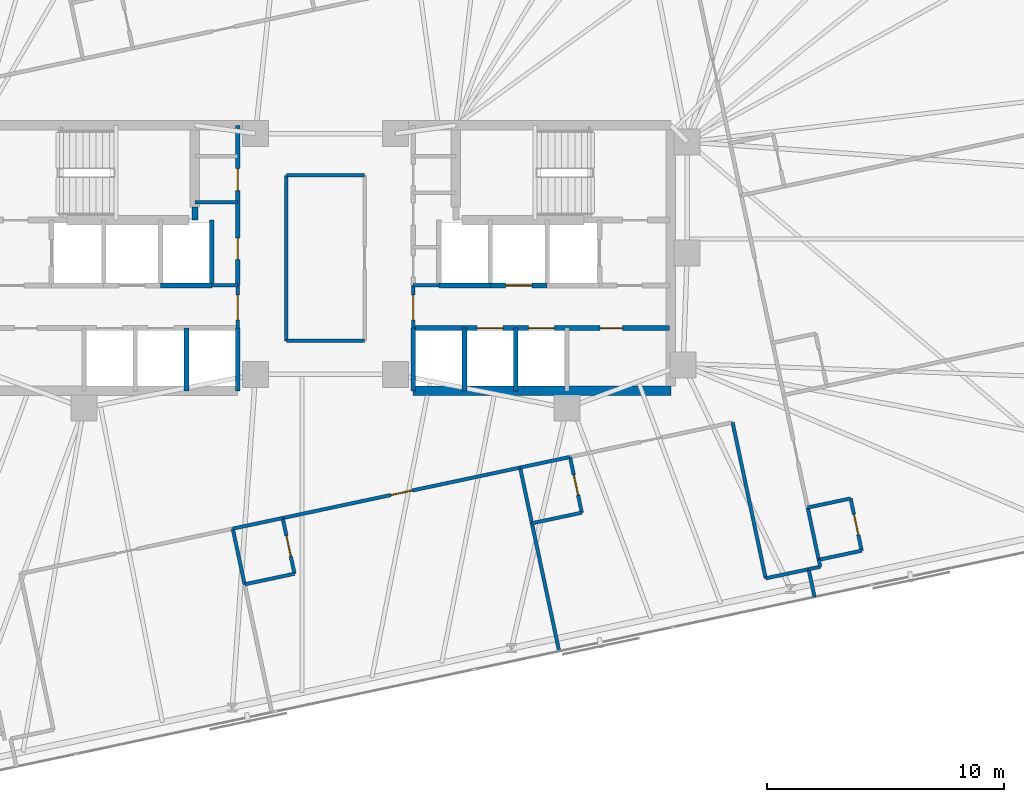
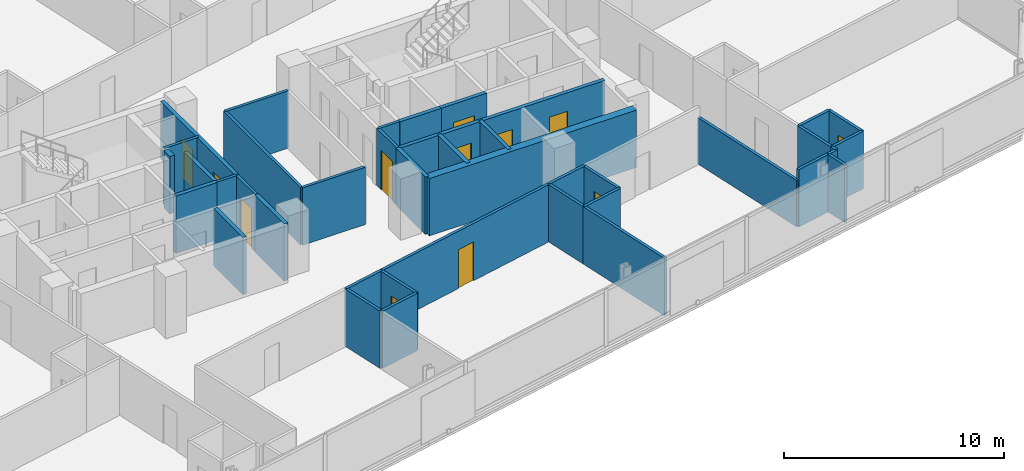
# One storey, part 15 of 20: 40 walls, 12 doors, 12 openings.
"""IFC4 building model written with IfcOpenShell, lengths in metres."""

from ifc_helpers import new_model, si_unit, direction, frame, frame_2d, origin, place, context, subcontext, project, spatial, rectangle, extrude, material, layer, layer_set, type_object, element, fill, save


model = new_model("IFC4")

# Units and contexts
model_context = context("Model", 3, precision=1e-05, world=origin(), true_north=direction((0.0, 1.0)))
body_context = subcontext(model_context, "Body", "Model", "MODEL_VIEW")
ifc_project = project(units=[si_unit("LENGTHUNIT", "METRE"), si_unit("AREAUNIT", "SQUARE_METRE"), si_unit("VOLUMEUNIT", "CUBIC_METRE"), si_unit("PLANEANGLEUNIT", "RADIAN"), si_unit("MASSUNIT", "GRAM", prefix="KILO")], contexts=[model_context])

# Site, building, storey
site_placement = place(None, origin())
site = spatial("IfcSite", under=ifc_project, at=site_placement, CompositionType="ELEMENT")
building_placement = place(site_placement, origin())
building = spatial("IfcBuilding", under=site, at=building_placement, Name="Menara Jurai Vektor", CompositionType="ELEMENT")
storey_placement = place(building_placement, frame((0.0, 0.0, 175.199951171875)))
storey = spatial("IfcBuildingStorey", under=building, at=storey_placement, Name="L45", CompositionType="ELEMENT", Elevation=175.199951171875)

# Wall
ifc_material_1 = material(Name="Concrete C40/50", Category="concrete")
ifc_layer_1 = layer(ifc_material_1, 0.25)
ifc_layer_set_1 = layer_set([ifc_layer_1], Name="Concrete C40/50")
wall_type_1 = type_object("IfcWallType", Name="INT-WALL-CORE-250", PredefinedType="STANDARD", material=ifc_layer_set_1)
wall_1_placement = place(storey_placement, frame((-5.5, 1.60009765625, 0.0), z_axis=(0.0, 0.0, 1.0), x_axis=(0.0, 1.0, 0.0)))
element("IfcWall", 1, at=wall_1_placement, inside=storey, type_object=wall_type_1, Name="Interior Wall IW-250 L45", PredefinedType="STANDARD", context=body_context, shape_type="SweptSolid", body=[
    extrude(rectangle(XDim=0.5498046875, YDim=0.25, at=frame_2d((0.27490234375, 0.0))), origin(), (0.0, 0.0, 1.0), 3.175048828125),
])

# Wall, opening, door
ifc_material_2 = material(Name="Gypsum Fireboard Partition", Category="gypsum")
ifc_layer_2 = layer(ifc_material_2, 0.14990234375)
ifc_layer_set_2 = layer_set([ifc_layer_2], Name="Gypsum Fireboard Partition")
wall_type_2 = type_object("IfcWallType", Name="INT-WALL-CORR-150", PredefinedType="PARTITIONING", material=ifc_layer_set_2)
wall_2_placement = place(storey_placement, frame((-3.699951171875, -2.949951171875, 0.0), z_axis=(0.0, 0.0, 1.0), x_axis=(0.0, 1.0, 0.0)))
wall_2 = element("IfcWall", 2, at=wall_2_placement, inside=storey, type_object=wall_type_2, Name="Interior Wall IW-150 L45", PredefinedType="PARTITIONING", context=body_context, shape_type="SweptSolid", body=[
    extrude(rectangle(XDim=1.800048828125, YDim=0.14990234375, at=frame_2d((0.89990234375, 0.0))), origin(), (0.0, 0.0, 1.0), 3.175048828125),
])
opening_1_placement = place(wall_2_placement, frame((0.35009765625, 0.0, 0.0)))
opening_1 = element("IfcOpeningElement", 3, at=opening_1_placement, cuts=wall_2, Name="Opening D-L45-LLW", PredefinedType="OPENING", context=body_context, shape_type="SweptSolid", body=[
    extrude(rectangle(XDim=1.050048828125, YDim=2.179931640625, at=frame_2d((0.52490234375, 1.08984375))), frame((0.0, 0.0849609375, 0.0), z_axis=(0.0, -1.0, 0.0), x_axis=(1.0, 0.0, 0.0)), (0.0, 0.0, 1.0), 0.169921875),
])
ifc_material_3 = material(Name="Fire-Rated Timber Door", Category="wood")
door_type_1 = type_object("IfcDoorType", Name="DR-LOBBY-1050", OperationType="NOTDEFINED", PredefinedType="DOOR", material=ifc_material_3)
door_1_placement = place(opening_1_placement, origin())
door_1 = element("IfcDoor", 4, at=door_1_placement, inside=storey, type_object=door_type_1, Name="Lift Lobby Corridor Door W L45", OperationType="SINGLE_SWING_LEFT", OverallHeight=2.179931640625, OverallWidth=1.050048828125, PredefinedType="DOOR", context=body_context, shape_type="SweptSolid", body=[
    extrude(rectangle(XDim=1.050048828125, YDim=2.179931640625, at=frame_2d((0.52490234375, 1.08984375))), frame((0.0, 0.02490234375, 0.0), z_axis=(0.0, -1.0, 0.0), x_axis=(1.0, 0.0, 0.0)), (0.0, 0.0, 1.0), 0.050048828125),
])
fill(opening_1, door_1)

# Wall
wall_3_placement = place(storey_placement, frame((-4.7900390625, -1.14990234375, 0.0), z_axis=(0.0, 0.0, 1.0), x_axis=(1.0, 0.0, 0.0)))
element("IfcWall", 5, at=wall_3_placement, inside=storey, type_object=wall_type_2, Name="Interior Wall IW-150 L45", PredefinedType="PARTITIONING", context=body_context, shape_type="SweptSolid", body=[
    extrude(rectangle(XDim=1.090087890625, YDim=0.14990234375, at=frame_2d((0.544921875, 0.0))), origin(), (0.0, 0.0, 1.0), 3.175048828125),
])

# Wall, opening, door
wall_4_placement = place(storey_placement, frame((3.699951171875, -2.949951171875, 0.0), z_axis=(0.0, 0.0, 1.0), x_axis=(0.0, 1.0, 0.0)))
wall_4 = element("IfcWall", 6, at=wall_4_placement, inside=storey, type_object=wall_type_2, Name="Interior Wall IW-150 L45", PredefinedType="PARTITIONING", context=body_context, shape_type="SweptSolid", body=[
    extrude(rectangle(XDim=1.800048828125, YDim=0.14990234375, at=frame_2d((0.89990234375, 0.0))), origin(), (0.0, 0.0, 1.0), 3.175048828125),
])
opening_2_placement = place(wall_4_placement, frame((0.35009765625, 0.0, 0.0)))
opening_2 = element("IfcOpeningElement", 7, at=opening_2_placement, cuts=wall_4, Name="Opening D-L45-LLE", PredefinedType="OPENING", context=body_context, shape_type="SweptSolid", body=[
    extrude(rectangle(XDim=1.050048828125, YDim=2.179931640625, at=frame_2d((0.52490234375, 1.08984375))), frame((0.0, 0.0849609375, 0.0), z_axis=(0.0, -1.0, 0.0), x_axis=(1.0, 0.0, 0.0)), (0.0, 0.0, 1.0), 0.169921875),
])
door_2_placement = place(opening_2_placement, frame((1.050048828125, 0.0, 0.0), z_axis=(0.0, 0.0, 1.0), x_axis=(-1.0, 0.0, 0.0)))
door_2 = element("IfcDoor", 8, at=door_2_placement, inside=storey, type_object=door_type_1, Name="Lift Lobby Corridor Door E L45", OperationType="SINGLE_SWING_RIGHT", OverallHeight=2.179931640625, OverallWidth=1.050048828125, PredefinedType="DOOR", context=body_context, shape_type="SweptSolid", body=[
    extrude(rectangle(XDim=1.050048828125, YDim=2.179931640625, at=frame_2d((0.52490234375, 1.08984375))), frame((0.0, 0.02490234375, 0.0), z_axis=(0.0, -1.0, 0.0), x_axis=(1.0, 0.0, 0.0)), (0.0, 0.0, 1.0), 0.050048828125),
])
fill(opening_2, door_2)

# Walls
wall_5_placement = place(storey_placement, frame((3.699951171875, -1.14990234375, 0.0), z_axis=(0.0, 0.0, 1.0), x_axis=(1.0, 0.0, 0.0)))
element("IfcWall", 9, at=wall_5_placement, inside=storey, type_object=wall_type_2, Name="Interior Wall IW-150 L45", PredefinedType="PARTITIONING", context=body_context, shape_type="SweptSolid", body=[
    extrude(rectangle(XDim=1.090087890625, YDim=0.14990234375, at=frame_2d((0.544921875, 0.0))), origin(), (0.0, 0.0, 1.0), 3.175048828125),
])
wall_6_placement = place(storey_placement, frame((-5.5, 2.35009765625, 0.0), z_axis=(0.0, 0.0, 1.0), x_axis=(1.0, 0.0, 0.0)))
element("IfcWall", 10, at=wall_6_placement, inside=storey, type_object=wall_type_2, Name="Interior Wall IW-150 L45", PredefinedType="PARTITIONING", context=body_context, shape_type="SweptSolid", body=[
    extrude(rectangle(XDim=1.800048828125, YDim=0.14990234375, at=frame_2d((0.89990234375, 0.0))), origin(), (0.0, 0.0, 1.0), 3.175048828125),
])
wall_7_placement = place(storey_placement, frame((-1.64990234375, -3.489501953125, 0.0), z_axis=(0.0, 0.0, 1.0), x_axis=(-3.4979712e-05, 0.999999999388, 0.0)))
element("IfcWall", 11, at=wall_7_placement, inside=storey, type_object=wall_type_2, Name="Interior Wall IW-150 L45", PredefinedType="PARTITIONING", context=body_context, shape_type="SweptSolid", body=[
    extrude(rectangle(XDim=6.9794921875, YDim=0.14990234375, at=frame_2d((3.48974609375, 0.0))), origin(), (0.0, 0.0, 1.0), 3.175048828125),
])
wall_8_placement = place(storey_placement, frame((-1.64990234375, -3.489501953125, 0.0), z_axis=(0.0, 0.0, 1.0), x_axis=(0.999999975374, -0.000221926315, 0.0)))
element("IfcWall", 12, at=wall_8_placement, inside=storey, type_object=wall_type_2, Name="Interior Wall IW-150 L45", PredefinedType="PARTITIONING", context=body_context, shape_type="SweptSolid", body=[
    extrude(rectangle(XDim=3.30029296875, YDim=0.14990234375, at=frame_2d((1.650146484375, 0.0))), origin(), (0.0, 0.0, 1.0), 3.175048828125),
])
wall_9_placement = place(storey_placement, frame((-1.650146484375, 3.489990234375, 0.0), z_axis=(0.0, 0.0, 1.0), x_axis=(1.0, 0.0, 0.0)))
element("IfcWall", 13, at=wall_9_placement, inside=storey, type_object=wall_type_2, Name="Interior Wall IW-150 L45", PredefinedType="PARTITIONING", context=body_context, shape_type="SweptSolid", body=[
    extrude(rectangle(XDim=3.300048828125, YDim=0.14990234375, at=frame_2d((1.64990234375, 0.0))), origin(), (0.0, 0.0, 1.0), 3.175048828125),
])

# Wall, opening, door
wall_10_placement = place(storey_placement, frame((-1.802734375, -10.95654296875, 0.0), z_axis=(0.0, 0.0, 1.0), x_axis=(0.978145386425, 0.207922108048, 0.0)))
wall_10 = element("IfcWall", 14, at=wall_10_placement, inside=storey, type_object=wall_type_2, Name="Interior Wall IW-150 L45", PredefinedType="PARTITIONING", context=body_context, shape_type="SweptSolid", body=[
    extrude(rectangle(XDim=10.23193359375, YDim=0.14990234375, at=frame_2d((5.115966796875, 0.0))), origin(), (0.0, 0.0, 1.0), 3.175048828125),
])
opening_3_placement = place(wall_10_placement, frame((4.656005859375, 0.0, 0.0)))
opening_3 = element("IfcOpeningElement", 15, at=opening_3_placement, cuts=wall_10, Name="Opening D45-17", PredefinedType="OPENING", context=body_context, shape_type="SweptSolid", body=[
    extrude(rectangle(XDim=0.919921875, YDim=2.14990234375, at=frame_2d((0.4599609375, 1.074951171875))), frame((0.0, 0.0849609375, 0.0), z_axis=(0.0, -1.0, 0.0), x_axis=(1.0, 0.0, 0.0)), (0.0, 0.0, 1.0), 0.169921875),
])
ifc_material_4 = material(Name="Solid Core Timber Fire Door", Category="wood")
door_type_2 = type_object("IfcDoorType", Name="DR-ENTRY-950", OperationType="NOTDEFINED", PredefinedType="DOOR", material=ifc_material_4)
door_3_placement = place(opening_3_placement, origin())
door_3 = element("IfcDoor", 16, at=door_3_placement, inside=storey, type_object=door_type_2, Name="Interior Door D45-17", OperationType="SINGLE_SWING_RIGHT", OverallHeight=2.14990234375, OverallWidth=0.919921875, PredefinedType="DOOR", context=body_context, shape_type="SweptSolid", body=[
    extrude(rectangle(XDim=0.919921875, YDim=2.14990234375, at=frame_2d((0.4599609375, 1.074951171875))), frame((0.0, 0.02490234375, 0.0), z_axis=(0.0, -1.0, 0.0), x_axis=(1.0, 0.0, 0.0)), (0.0, 0.0, 1.0), 0.050048828125),
])
fill(opening_3, door_3)

# Walls
wall_11_placement = place(storey_placement, frame((-3.90576171875, -11.403564453125, 0.0), z_axis=(0.0, 0.0, 1.0), x_axis=(0.978146728319, 0.207915795165, 0.0)))
element("IfcWall", 17, at=wall_11_placement, inside=storey, type_object=wall_type_2, Name="Interior Wall IW-150 L45", PredefinedType="PARTITIONING", context=body_context, shape_type="SweptSolid", body=[
    extrude(rectangle(XDim=2.14990234375, YDim=0.14990234375, at=frame_2d((1.074951171875, 0.0))), origin(), (0.0, 0.0, 1.0), 3.175048828125),
])
wall_12_placement = place(storey_placement, frame((18.5595703125, -13.498291015625, 0.0), z_axis=(0.0, 0.0, 1.0), x_axis=(0.978160192495, 0.207852442415, 0.0)))
element("IfcWall", 18, at=wall_12_placement, inside=storey, type_object=wall_type_2, Name="Interior Wall IW-150 L45", PredefinedType="PARTITIONING", context=body_context, shape_type="SweptSolid", body=[
    extrude(rectangle(XDim=1.849853515625, YDim=0.14990234375, at=frame_2d((0.9248046875, 0.0))), origin(), (0.0, 0.0, 1.0), 3.175048828125),
])
wall_13_placement = place(storey_placement, frame((8.20556640625, -8.8291015625, 0.0), z_axis=(0.0, 0.0, 1.0), x_axis=(0.978146728319, 0.207915795165, 0.0)))
element("IfcWall", 19, at=wall_13_placement, inside=storey, type_object=wall_type_2, Name="Interior Wall IW-150 L45", PredefinedType="PARTITIONING", context=body_context, shape_type="SweptSolid", body=[
    extrude(rectangle(XDim=2.14990234375, YDim=0.14990234375, at=frame_2d((1.074951171875, 0.0))), origin(), (0.0, 0.0, 1.0), 3.175048828125),
])
wall_14_placement = place(storey_placement, frame((20.369140625, -13.11376953125, 0.0), z_axis=(0.0, 0.0, 1.0), x_axis=(0.978143962546, 0.207928806409, 0.0)))
element("IfcWall", 20, at=wall_14_placement, inside=storey, type_object=wall_type_2, Name="Interior Wall IW-150 L45", PredefinedType="PARTITIONING", context=body_context, shape_type="SweptSolid", body=[
    extrude(rectangle(XDim=0.500244140625, YDim=0.14990234375, at=frame_2d((0.25, 0.0))), origin(), (0.0, 0.0, 1.0), 3.175048828125),
])
wall_15_placement = place(storey_placement, frame((20.8583984375, -13.009765625, 0.0), z_axis=(0.0, 0.0, 1.0), x_axis=(-0.208306395052, 0.978063620518, 0.0)))
element("IfcWall", 21, at=wall_15_placement, inside=storey, type_object=wall_type_2, Name="Interior Wall IW-150 L45", PredefinedType="PARTITIONING", context=body_context, shape_type="SweptSolid", body=[
    extrude(rectangle(XDim=0.300048828125, YDim=0.14990234375, at=frame_2d((0.14990234375, 0.0))), origin(), (0.0, 0.0, 1.0), 3.175048828125),
])
wall_16_placement = place(storey_placement, frame((20.7958984375, -12.71630859375, 0.0), z_axis=(0.0, 0.0, 1.0), x_axis=(-0.207891197838, 0.978151956427, 0.0)))
element("IfcWall", 22, at=wall_16_placement, inside=storey, type_object=wall_type_2, Name="Interior Wall IW-150 L45", PredefinedType="PARTITIONING", context=body_context, shape_type="SweptSolid", body=[
    extrude(rectangle(XDim=2.25, YDim=0.14990234375, at=frame_2d((1.125, 0.0))), origin(), (0.0, 0.0, 1.0), 3.175048828125),
])
wall_17_placement = place(storey_placement, frame((-3.406982421875, -13.7509765625, 0.0), z_axis=(0.0, 0.0, 1.0), x_axis=(-0.207840504985, 0.978162729042, 0.0)))
element("IfcWall", 23, at=wall_17_placement, inside=storey, type_object=wall_type_2, Name="Interior Wall IW-150 L45", PredefinedType="PARTITIONING", context=body_context, shape_type="SweptSolid", body=[
    extrude(rectangle(XDim=2.39990234375, YDim=0.14990234375, at=frame_2d((1.199951171875, 0.0))), origin(), (0.0, 0.0, 1.0), 3.175048828125),
])
wall_18_placement = place(storey_placement, frame((-3.406982421875, -13.7509765625, 0.0), z_axis=(0.0, 0.0, 1.0), x_axis=(0.978151636287, 0.207892704126, 0.0)))
element("IfcWall", 24, at=wall_18_placement, inside=storey, type_object=wall_type_2, Name="Interior Wall IW-150 L45", PredefinedType="PARTITIONING", context=body_context, shape_type="SweptSolid", body=[
    extrude(rectangle(XDim=2.150146484375, YDim=0.14990234375, at=frame_2d((1.0751953125, 0.0))), origin(), (0.0, 0.0, 1.0), 3.175048828125),
])

# Wall, opening, door
wall_19_placement = place(storey_placement, frame((-1.3037109375, -13.303955078125, 0.0), z_axis=(0.0, 0.0, 1.0), x_axis=(-0.207937840262, 0.978142042133, 0.0)))
wall_19 = element("IfcWall", 25, at=wall_19_placement, inside=storey, type_object=wall_type_2, Name="Interior Wall IW-150 L45", PredefinedType="PARTITIONING", context=body_context, shape_type="SweptSolid", body=[
    extrude(rectangle(XDim=2.39990234375, YDim=0.14990234375, at=frame_2d((1.199951171875, 0.0))), origin(), (0.0, 0.0, 1.0), 3.175048828125),
])
opening_4_placement = place(wall_19_placement, frame((0.760009765625, 0.0, 0.0)))
opening_4 = element("IfcOpeningElement", 26, at=opening_4_placement, cuts=wall_19, Name="Opening D45-18", PredefinedType="OPENING", context=body_context, shape_type="SweptSolid", body=[
    extrude(rectangle(XDim=0.8798828125, YDim=2.14990234375, at=frame_2d((0.43994140625, 1.074951171875))), frame((0.0, 0.0849609375, 0.0), z_axis=(0.0, -1.0, 0.0), x_axis=(1.0, 0.0, 0.0)), (0.0, 0.0, 1.0), 0.169921875),
])
ifc_material_5 = material(Name="Moisture-Resistant Timber Door", Category="wood")
door_type_3 = type_object("IfcDoorType", Name="DR-BATH-880", OperationType="NOTDEFINED", PredefinedType="DOOR", material=ifc_material_5)
door_4_placement = place(opening_4_placement, origin())
door_4 = element("IfcDoor", 27, at=door_4_placement, inside=storey, type_object=door_type_3, Name="Interior Door D45-18", OperationType="SINGLE_SWING_LEFT", OverallHeight=2.14990234375, OverallWidth=0.8798828125, PredefinedType="DOOR", context=body_context, shape_type="SweptSolid", body=[
    extrude(rectangle(XDim=0.8798828125, YDim=2.14990234375, at=frame_2d((0.43994140625, 1.074951171875))), frame((0.0, 0.02490234375, 0.0), z_axis=(0.0, -1.0, 0.0), x_axis=(1.0, 0.0, 0.0)), (0.0, 0.0, 1.0), 0.050048828125),
])
fill(opening_4, door_4)

# Walls
wall_20_placement = place(storey_placement, frame((9.852294921875, -16.575927734375, 0.0), z_axis=(0.0, 0.0, 1.0), x_axis=(-0.20792487872, 0.978144797466, 0.0)))
element("IfcWall", 28, at=wall_20_placement, inside=storey, type_object=wall_type_2, Name="Interior Wall IW-150 L45", PredefinedType="PARTITIONING", context=body_context, shape_type="SweptSolid", body=[
    extrude(rectangle(XDim=5.519775390625, YDim=0.14990234375, at=frame_2d((2.759765625, 0.0))), origin(), (0.0, 0.0, 1.0), 3.175048828125),
])
wall_21_placement = place(storey_placement, frame((8.70458984375, -11.1767578125, 0.0), z_axis=(0.0, 0.0, 1.0), x_axis=(-0.207917150959, 0.978146440129, 0.0)))
element("IfcWall", 29, at=wall_21_placement, inside=storey, type_object=wall_type_2, Name="Interior Wall IW-150 L45", PredefinedType="PARTITIONING", context=body_context, shape_type="SweptSolid", body=[
    extrude(rectangle(XDim=2.400146484375, YDim=0.14990234375, at=frame_2d((1.2001953125, 0.0))), origin(), (0.0, 0.0, 1.0), 3.175048828125),
])
wall_22_placement = place(storey_placement, frame((8.70458984375, -11.1767578125, 0.0), z_axis=(0.0, 0.0, 1.0), x_axis=(0.978123629285, 0.208024435669, 0.0)))
element("IfcWall", 30, at=wall_22_placement, inside=storey, type_object=wall_type_2, Name="Interior Wall IW-150 L45", PredefinedType="PARTITIONING", context=body_context, shape_type="SweptSolid", body=[
    extrude(rectangle(XDim=2.150146484375, YDim=0.14990234375, at=frame_2d((1.0751953125, 0.0))), origin(), (0.0, 0.0, 1.0), 3.175048828125),
])

# Wall, opening, door
wall_23_placement = place(storey_placement, frame((10.8076171875, -10.7294921875, 0.0), z_axis=(0.0, 0.0, 1.0), x_axis=(-0.207937840262, 0.978142042133, 0.0)))
wall_23 = element("IfcWall", 31, at=wall_23_placement, inside=storey, type_object=wall_type_2, Name="Interior Wall IW-150 L45", PredefinedType="PARTITIONING", context=body_context, shape_type="SweptSolid", body=[
    extrude(rectangle(XDim=2.39990234375, YDim=0.14990234375, at=frame_2d((1.199951171875, 0.0))), origin(), (0.0, 0.0, 1.0), 3.175048828125),
])
opening_5_placement = place(wall_23_placement, frame((0.760009765625, 0.0, 0.0)))
opening_5 = element("IfcOpeningElement", 32, at=opening_5_placement, cuts=wall_23, Name="Opening D45-20", PredefinedType="OPENING", context=body_context, shape_type="SweptSolid", body=[
    extrude(rectangle(XDim=0.8798828125, YDim=2.14990234375, at=frame_2d((0.43994140625, 1.074951171875))), frame((0.0, 0.0849609375, 0.0), z_axis=(0.0, -1.0, 0.0), x_axis=(1.0, 0.0, 0.0)), (0.0, 0.0, 1.0), 0.169921875),
])
door_5_placement = place(opening_5_placement, origin())
door_5 = element("IfcDoor", 33, at=door_5_placement, inside=storey, type_object=door_type_3, Name="Interior Door D45-20", OperationType="SINGLE_SWING_LEFT", OverallHeight=2.14990234375, OverallWidth=0.8798828125, PredefinedType="DOOR", context=body_context, shape_type="SweptSolid", body=[
    extrude(rectangle(XDim=0.8798828125, YDim=2.14990234375, at=frame_2d((0.43994140625, 1.074951171875))), frame((0.0, 0.02490234375, 0.0), z_axis=(0.0, -1.0, 0.0), x_axis=(1.0, 0.0, 0.0)), (0.0, 0.0, 1.0), 0.050048828125),
])
fill(opening_5, door_5)

# Walls
wall_24_placement = place(storey_placement, frame((20.61865234375, -14.28759765625, 0.0), z_axis=(0.0, 0.0, 1.0), x_axis=(-0.207917150959, 0.978146440129, 0.0)))
element("IfcWall", 34, at=wall_24_placement, inside=storey, type_object=wall_type_2, Name="Interior Wall IW-150 L45", PredefinedType="PARTITIONING", context=body_context, shape_type="SweptSolid", body=[
    extrude(rectangle(XDim=1.199951171875, YDim=0.14990234375, at=frame_2d((0.60009765625, 0.0))), origin(), (0.0, 0.0, 1.0), 3.175048828125),
])
for number, where, z_axis, x_axis, name in (
    (35, (20.7958984375, -12.71630859375, 0.0), (0.0, 0.0, 1.0), (0.978160192495, 0.207852442415, 0.0), "Interior Wall IW-150 L45"),
    (36, (20.328125, -10.515380859375, 0.0), (0.0, 0.0, 1.0), (0.978160192495, 0.207852442415, 0.0), "Interior Wall IW-150 L45"),
):
    element("IfcWall", number, at=place(storey_placement, frame(where, z_axis=z_axis, x_axis=x_axis)), inside=storey, type_object=wall_type_2, Name=name, PredefinedType="PARTITIONING", context=body_context, shape_type="SweptSolid", body=[
        extrude(rectangle(XDim=1.849853515625, YDim=0.14990234375, at=frame_2d((0.9248046875, 0.0))), origin(), (0.0, 0.0, 1.0), 3.175048828125),
    ])

# Wall, opening, door
wall_25_placement = place(storey_placement, frame((22.60546875, -12.331787109375, 0.0), z_axis=(0.0, 0.0, 1.0), x_axis=(-0.207891197838, 0.978151956427, 0.0)))
wall_25 = element("IfcWall", 37, at=wall_25_placement, inside=storey, type_object=wall_type_2, Name="Interior Wall IW-150 L45", PredefinedType="PARTITIONING", context=body_context, shape_type="SweptSolid", body=[
    extrude(rectangle(XDim=2.25, YDim=0.14990234375, at=frame_2d((1.125, 0.0))), origin(), (0.0, 0.0, 1.0), 3.175048828125),
])
opening_6_placement = place(wall_25_placement, frame((0.68505859375, 0.0, 0.0)))
opening_6 = element("IfcOpeningElement", 38, at=opening_6_placement, cuts=wall_25, Name="Opening D45-30", PredefinedType="OPENING", context=body_context, shape_type="SweptSolid", body=[
    extrude(rectangle(XDim=0.8798828125, YDim=2.14990234375, at=frame_2d((0.43994140625, 1.074951171875))), frame((0.0, 0.0849609375, 0.0), z_axis=(0.0, -1.0, 0.0), x_axis=(1.0, 0.0, 0.0)), (0.0, 0.0, 1.0), 0.169921875),
])
door_6_placement = place(opening_6_placement, origin())
door_6 = element("IfcDoor", 39, at=door_6_placement, inside=storey, type_object=door_type_3, Name="Interior Door D45-30", OperationType="SINGLE_SWING_LEFT", OverallHeight=2.14990234375, OverallWidth=0.8798828125, PredefinedType="DOOR", context=body_context, shape_type="SweptSolid", body=[
    extrude(rectangle(XDim=0.8798828125, YDim=2.14990234375, at=frame_2d((0.43994140625, 1.074951171875))), frame((0.0, 0.02490234375, 0.0), z_axis=(0.0, -1.0, 0.0), x_axis=(1.0, 0.0, 0.0)), (0.0, 0.0, 1.0), 0.050048828125),
])
fill(opening_6, door_6)

# Wall
ifc_layer_3 = layer(ifc_material_2, 0.14990234375)
ifc_layer_set_3 = layer_set([ifc_layer_3], Name="Gypsum Fireboard Partition")
wall_type_3 = type_object("IfcWallType", Name="INT-WALL-CORR-150-H2", PredefinedType="PARTITIONING", material=ifc_layer_set_3)
wall_26_placement = place(storey_placement, frame((18.5595703125, -13.498291015625, 0.0), z_axis=(0.0, 0.0, 1.0), x_axis=(-0.207888737749, 0.978152479278, 0.0)))
element("IfcWall", 40, at=wall_26_placement, inside=storey, type_object=wall_type_3, Name="Interior Wall IW-150 L45", PredefinedType="PARTITIONING", context=body_context, shape_type="SweptSolid", body=[
    extrude(rectangle(XDim=6.7197265625, YDim=0.14990234375, at=frame_2d((3.35986328125, 0.0))), origin(), (0.0, 0.0, 1.0), 2.574951171875),
])

# Wall, openings, doors
ifc_layer_4 = layer(ifc_material_1, 0.199951171875)
ifc_layer_set_4 = layer_set([ifc_layer_4], Name="Concrete C40/50")
wall_type_4 = type_object("IfcWallType", Name="INT-WALL-SHAFT-200", PredefinedType="STANDARD", material=ifc_layer_set_4)
wall_27_placement = place(storey_placement, frame((-3.699951171875, -1.14990234375, 0.0), z_axis=(0.0, 0.0, 1.0), x_axis=(0.0, 1.0, 0.0)))
wall_27 = element("IfcWall", 41, at=wall_27_placement, inside=storey, type_object=wall_type_4, Name="Interior Wall IW-200 L45", PredefinedType="STANDARD", context=body_context, shape_type="SweptSolid", body=[
    extrude(rectangle(XDim=6.75, YDim=0.199951171875, at=frame_2d((3.375, 0.0))), origin(), (0.0, 0.0, 1.0), 3.175048828125),
])
opening_7_placement = place(wall_27_placement, frame((1.10009765625, 0.0, 0.0)))
opening_7 = element("IfcOpeningElement", 42, at=opening_7_placement, cuts=wall_27, Name="Opening D45-02", PredefinedType="OPENING", context=body_context, shape_type="SweptSolid", body=[
    extrude(rectangle(XDim=0.89990234375, YDim=2.14990234375, at=frame_2d((0.449951171875, 1.074951171875))), frame((0.0, 0.10986328125, 0.0), z_axis=(0.0, -1.0, 0.0), x_axis=(1.0, 0.0, 0.0)), (0.0, 0.0, 1.0), 0.219970703125),
])
opening_8_placement = place(wall_27_placement, frame((4.0, 0.0, 0.0)))
opening_8 = element("IfcOpeningElement", 43, at=opening_8_placement, cuts=wall_27, Name="Opening D45-03", PredefinedType="OPENING", context=body_context, shape_type="SweptSolid", body=[
    extrude(rectangle(XDim=0.919921875, YDim=2.14990234375, at=frame_2d((0.4599609375, 1.074951171875))), frame((0.0, 0.10986328125, 0.0), z_axis=(0.0, -1.0, 0.0), x_axis=(1.0, 0.0, 0.0)), (0.0, 0.0, 1.0), 0.219970703125),
])
door_7_placement = place(opening_7_placement, origin())
door_7 = element("IfcDoor", 44, at=door_7_placement, inside=storey, type_object=door_type_2, Name="Interior Door D45-02", OperationType="SINGLE_SWING_LEFT", OverallHeight=2.14990234375, OverallWidth=0.89990234375, PredefinedType="DOOR", context=body_context, shape_type="SweptSolid", body=[
    extrude(rectangle(XDim=0.89990234375, YDim=2.14990234375, at=frame_2d((0.449951171875, 1.074951171875))), frame((0.0, 0.02490234375, 0.0), z_axis=(0.0, -1.0, 0.0), x_axis=(1.0, 0.0, 0.0)), (0.0, 0.0, 1.0), 0.050048828125),
])
fill(opening_7, door_7)
door_8_placement = place(opening_8_placement, origin())
door_8 = element("IfcDoor", 45, at=door_8_placement, inside=storey, type_object=door_type_2, Name="Interior Door D45-03", OperationType="SINGLE_SWING_LEFT", OverallHeight=2.14990234375, OverallWidth=0.919921875, PredefinedType="DOOR", context=body_context, shape_type="SweptSolid", body=[
    extrude(rectangle(XDim=0.919921875, YDim=2.14990234375, at=frame_2d((0.4599609375, 1.074951171875))), frame((0.0, 0.02490234375, 0.0), z_axis=(0.0, -1.0, 0.0), x_axis=(1.0, 0.0, 0.0)), (0.0, 0.0, 1.0), 0.050048828125),
])
fill(opening_8, door_8)

# Walls
wall_28_placement = place(storey_placement, frame((-3.699951171875, -5.60009765625, 0.0), z_axis=(0.0, 0.0, 1.0), x_axis=(0.0, 1.0, 0.0)))
element("IfcWall", 46, at=wall_28_placement, inside=storey, type_object=wall_type_4, Name="Interior Wall IW-200 L45", PredefinedType="STANDARD", context=body_context, shape_type="SweptSolid", body=[
    extrude(rectangle(XDim=2.650146484375, YDim=0.199951171875, at=frame_2d((1.3251953125, 0.0))), origin(), (0.0, 0.0, 1.0), 3.175048828125),
])
wall_29_placement = place(storey_placement, frame((-4.7900390625, -1.14990234375, 0.0), z_axis=(0.0, 0.0, 1.0), x_axis=(0.0, 1.0, 0.0)))
element("IfcWall", 47, at=wall_29_placement, inside=storey, type_object=wall_type_4, Name="Interior Wall IW-200 L45", PredefinedType="STANDARD", context=body_context, shape_type="SweptSolid", body=[
    extrude(rectangle(XDim=2.75, YDim=0.199951171875, at=frame_2d((1.375, 0.0))), origin(), (0.0, 0.0, 1.0), 3.175048828125),
])
wall_30_placement = place(storey_placement, frame((-6.949951171875, -1.14990234375, 0.0), z_axis=(0.0, 0.0, 1.0), x_axis=(1.0, 0.0, 0.0)))
element("IfcWall", 48, at=wall_30_placement, inside=storey, type_object=wall_type_4, Name="Interior Wall IW-200 L45", PredefinedType="STANDARD", context=body_context, shape_type="SweptSolid", body=[
    extrude(rectangle(XDim=2.159912109375, YDim=0.199951171875, at=frame_2d((1.080078125, 0.0))), origin(), (0.0, 0.0, 1.0), 3.175048828125),
])
for number, where, z_axis, x_axis, name in (
    (49, (-5.860107421875, -5.60009765625, 0.0), (0.0, 0.0, 1.0), (0.0, 1.0, 0.0), "Interior Wall IW-200 L45"),
    (50, (3.699951171875, -5.60009765625, 0.0), (0.0, 0.0, 1.0), (0.0, 1.0, 0.0), "Interior Wall IW-200 L45"),
):
    element("IfcWall", number, at=place(storey_placement, frame(where, z_axis=z_axis, x_axis=x_axis)), inside=storey, type_object=wall_type_4, Name=name, PredefinedType="STANDARD", context=body_context, shape_type="SweptSolid", body=[
        extrude(rectangle(XDim=2.650146484375, YDim=0.199951171875, at=frame_2d((1.3251953125, 0.0))), origin(), (0.0, 0.0, 1.0), 3.175048828125),
    ])

# Wall, opening, door
wall_31_placement = place(storey_placement, frame((6.949951171875, -1.14990234375, 0.0), z_axis=(0.0, 0.0, 1.0), x_axis=(1.0, 0.0, 0.0)))
wall_31 = element("IfcWall", 51, at=wall_31_placement, inside=storey, type_object=wall_type_4, Name="Interior Wall IW-200 L45", PredefinedType="STANDARD", context=body_context, shape_type="SweptSolid", body=[
    extrude(rectangle(XDim=2.400146484375, YDim=0.199951171875, at=frame_2d((1.2001953125, 0.0))), origin(), (0.0, 0.0, 1.0), 3.175048828125),
])
opening_9_placement = place(wall_31_placement, frame((0.64990234375, 0.0, 0.0)))
opening_9 = element("IfcOpeningElement", 52, at=opening_9_placement, cuts=wall_31, Name="Opening LD-L45-SVL2", PredefinedType="OPENING", context=body_context, shape_type="SweptSolid", body=[
    extrude(rectangle(XDim=1.10009765625, YDim=2.14990234375, at=frame_2d((0.550048828125, 1.074951171875))), frame((0.0, 0.10986328125, 0.0), z_axis=(0.0, -1.0, 0.0), x_axis=(1.0, 0.0, 0.0)), (0.0, 0.0, 1.0), 0.219970703125),
])
ifc_material_6 = material(Name="Anodised Stainless Sliding Lift Landing Door", Category="steel")
door_type_4 = type_object("IfcDoorType", Name="DR-LIFT-PASS-1100", OperationType="NOTDEFINED", PredefinedType="DOOR", material=ifc_material_6)
door_9_placement = place(opening_9_placement, origin())
door_9 = element("IfcDoor", 53, at=door_9_placement, inside=storey, type_object=door_type_4, Name="Lift Landing Door SVL2 L45", OperationType="SLIDING_TO_RIGHT", OverallHeight=2.14990234375, OverallWidth=1.10009765625, PredefinedType="DOOR", context=body_context, shape_type="SweptSolid", body=[
    extrude(rectangle(XDim=1.10009765625, YDim=2.14990234375, at=frame_2d((0.550048828125, 1.074951171875))), frame((0.0, 0.02490234375, 0.0), z_axis=(0.0, -1.0, 0.0), x_axis=(1.0, 0.0, 0.0)), (0.0, 0.0, 1.0), 0.050048828125),
])
fill(opening_9, door_9)

# Wall
wall_32_placement = place(storey_placement, frame((4.7900390625, -1.14990234375, 0.0), z_axis=(0.0, 0.0, 1.0), x_axis=(1.0, 0.0, 0.0)))
element("IfcWall", 54, at=wall_32_placement, inside=storey, type_object=wall_type_4, Name="Interior Wall IW-200 L45", PredefinedType="STANDARD", context=body_context, shape_type="SweptSolid", body=[
    extrude(rectangle(XDim=2.159912109375, YDim=0.199951171875, at=frame_2d((1.080078125, 0.0))), origin(), (0.0, 0.0, 1.0), 3.175048828125),
])

# Wall, openings, doors
wall_33_placement = place(storey_placement, frame((3.699951171875, -2.949951171875, 0.0), z_axis=(0.0, 0.0, 1.0), x_axis=(1.0, 0.0, 0.0)))
wall_33 = element("IfcWall", 55, at=wall_33_placement, inside=storey, type_object=wall_type_4, Name="Interior Wall IW-200 L45", PredefinedType="STANDARD", context=body_context, shape_type="SweptSolid", body=[
    extrude(rectangle(XDim=10.800048828125, YDim=0.199951171875, at=frame_2d((5.39990234375, 0.0))), origin(), (0.0, 0.0, 1.0), 3.175048828125),
])
opening_10_placement = place(wall_33_placement, frame((2.68994140625, 0.0, 0.0)))
opening_10 = element("IfcOpeningElement", 56, at=opening_10_placement, cuts=wall_33, Name="Opening LD-L45-PM3", PredefinedType="OPENING", context=body_context, shape_type="SweptSolid", body=[
    extrude(rectangle(XDim=1.10009765625, YDim=2.14990234375, at=frame_2d((0.550048828125, 1.074951171875))), frame((0.0, 0.10986328125, 0.0), z_axis=(0.0, -1.0, 0.0), x_axis=(1.0, 0.0, 0.0)), (0.0, 0.0, 1.0), 0.219970703125),
])
opening_11_placement = place(wall_33_placement, frame((4.85009765625, 0.0, 0.0)))
opening_11 = element("IfcOpeningElement", 57, at=opening_11_placement, cuts=wall_33, Name="Opening LD-L45-PM4", PredefinedType="OPENING", context=body_context, shape_type="SweptSolid", body=[
    extrude(rectangle(XDim=1.10009765625, YDim=2.14990234375, at=frame_2d((0.550048828125, 1.074951171875))), frame((0.0, 0.10986328125, 0.0), z_axis=(0.0, -1.0, 0.0), x_axis=(1.0, 0.0, 0.0)), (0.0, 0.0, 1.0), 0.219970703125),
])
opening_12_placement = place(wall_33_placement, frame((7.8798828125, 0.0, 0.0)))
opening_12 = element("IfcOpeningElement", 58, at=opening_12_placement, cuts=wall_33, Name="Opening D45-04", PredefinedType="OPENING", context=body_context, shape_type="SweptSolid", body=[
    extrude(rectangle(XDim=0.949951171875, YDim=2.14990234375, at=frame_2d((0.47509765625, 1.074951171875))), frame((0.0, 0.10986328125, 0.0), z_axis=(0.0, -1.0, 0.0), x_axis=(1.0, 0.0, 0.0)), (0.0, 0.0, 1.0), 0.219970703125),
])
door_10_placement = place(opening_12_placement, origin())
door_10 = element("IfcDoor", 59, at=door_10_placement, inside=storey, type_object=door_type_2, Name="Interior Door D45-04", OperationType="SINGLE_SWING_LEFT", OverallHeight=2.14990234375, OverallWidth=0.949951171875, PredefinedType="DOOR", context=body_context, shape_type="SweptSolid", body=[
    extrude(rectangle(XDim=0.949951171875, YDim=2.14990234375, at=frame_2d((0.47509765625, 1.074951171875))), frame((0.0, 0.02490234375, 0.0), z_axis=(0.0, -1.0, 0.0), x_axis=(1.0, 0.0, 0.0)), (0.0, 0.0, 1.0), 0.050048828125),
])
fill(opening_12, door_10)
door_11_placement = place(opening_10_placement, origin())
door_11 = element("IfcDoor", 60, at=door_11_placement, inside=storey, type_object=door_type_4, Name="Lift Landing Door PM3 L45", OperationType="SLIDING_TO_LEFT", OverallHeight=2.14990234375, OverallWidth=1.10009765625, PredefinedType="DOOR", context=body_context, shape_type="SweptSolid", body=[
    extrude(rectangle(XDim=1.10009765625, YDim=2.14990234375, at=frame_2d((0.550048828125, 1.074951171875))), frame((0.0, 0.02490234375, 0.0), z_axis=(0.0, -1.0, 0.0), x_axis=(1.0, 0.0, 0.0)), (0.0, 0.0, 1.0), 0.050048828125),
])
fill(opening_10, door_11)
door_12_placement = place(opening_11_placement, origin())
door_12 = element("IfcDoor", 61, at=door_12_placement, inside=storey, type_object=door_type_4, Name="Lift Landing Door PM4 L45", OperationType="SLIDING_TO_RIGHT", OverallHeight=2.14990234375, OverallWidth=1.10009765625, PredefinedType="DOOR", context=body_context, shape_type="SweptSolid", body=[
    extrude(rectangle(XDim=1.10009765625, YDim=2.14990234375, at=frame_2d((0.550048828125, 1.074951171875))), frame((0.0, 0.02490234375, 0.0), z_axis=(0.0, -1.0, 0.0), x_axis=(1.0, 0.0, 0.0)), (0.0, 0.0, 1.0), 0.050048828125),
])
fill(opening_11, door_12)

# Walls
wall_34_placement = place(storey_placement, frame((5.860107421875, -5.60009765625, 0.0), z_axis=(0.0, 0.0, 1.0), x_axis=(0.0, 1.0, 0.0)))
element("IfcWall", 62, at=wall_34_placement, inside=storey, type_object=wall_type_4, Name="Interior Wall IW-200 L45", PredefinedType="STANDARD", context=body_context, shape_type="SweptSolid", body=[
    extrude(rectangle(XDim=2.650146484375, YDim=0.199951171875, at=frame_2d((1.3251953125, 0.0))), origin(), (0.0, 0.0, 1.0), 3.175048828125),
])
wall_35_placement = place(storey_placement, frame((8.02001953125, -5.60009765625, 0.0), z_axis=(0.0, 0.0, 1.0), x_axis=(0.0, 1.0, 0.0)))
element("IfcWall", 63, at=wall_35_placement, inside=storey, type_object=wall_type_4, Name="Interior Wall IW-200 L45", PredefinedType="STANDARD", context=body_context, shape_type="SweptSolid", body=[
    extrude(rectangle(XDim=2.650146484375, YDim=0.179931640625, at=frame_2d((1.3251953125, 0.0))), origin(), (0.0, 0.0, 1.0), 3.175048828125),
])
ifc_material_7 = material(Name="Concrete C50/60", Category="concrete")
ifc_layer_5 = layer(ifc_material_7, 0.39990234375)
ifc_layer_set_5 = layer_set([ifc_layer_5], Name="Concrete C50/60")
wall_type_5 = type_object("IfcWallType", Name="STR-WALL-CORE400", PredefinedType="SHEAR", material=ifc_layer_set_5)
wall_36_placement = place(storey_placement, frame((3.699951171875, -5.60009765625, 0.0), z_axis=(0.0, 0.0, 1.0), x_axis=(1.0, 0.0, 0.0)))
element("IfcWall", 64, at=wall_36_placement, inside=storey, type_object=wall_type_5, Name="Core Shear Wall CW-E-S L45", PredefinedType="SHEAR", context=body_context, shape_type="SweptSolid", body=[
    extrude(rectangle(XDim=10.860107421875, YDim=0.39990234375, at=frame_2d((5.43017578125, 0.0))), origin(), (0.0, 0.0, 1.0), 3.175048828125),
])

save(model, "model.ifc")
